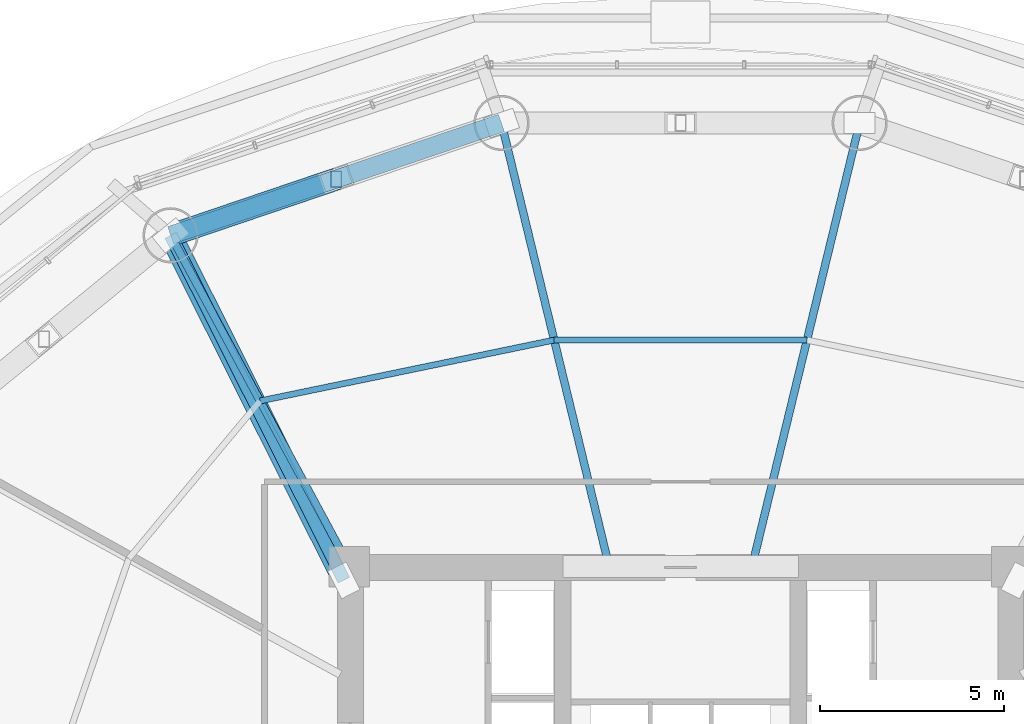
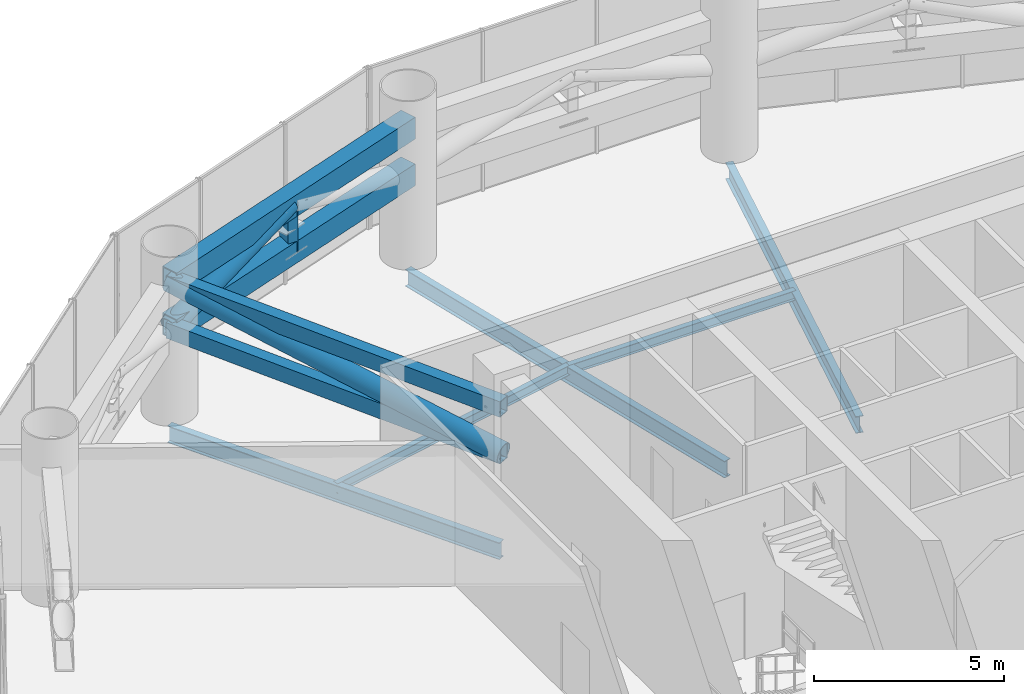
# One storey, part 19 of 33: 7 members, 5 beams.
"""IFC4 building model written with IfcOpenShell, lengths in metres."""

from ifc_helpers import new_model, si_unit, direction, frame, origin, origin_2d, place, context, subcontext, project, spatial, hollow_rectangle, hollow_circle, i_section, extrude, source, transform, mapped, material, material_profile, profile_set, type_object, element, save


model = new_model("IFC4")

# Units and contexts
model_context = context("Model", 3, precision=1e-05, world=origin(), true_north=direction((-0.2419218956, 0.970295726276)))
body_context = subcontext(model_context, "Body", "Model", "MODEL_VIEW")
ifc_project = project(units=[si_unit("LENGTHUNIT", "METRE"), si_unit("AREAUNIT", "SQUARE_METRE"), si_unit("VOLUMEUNIT", "CUBIC_METRE"), si_unit("PLANEANGLEUNIT", "RADIAN"), si_unit("MASSUNIT", "GRAM", prefix="KILO")], contexts=[model_context])

# Site, building, storey
site_placement = place(None, origin())
site = spatial("IfcSite", under=ifc_project, at=site_placement, CompositionType="ELEMENT")
building_placement = place(site_placement, origin())
building = spatial("IfcBuilding", under=site, at=building_placement, Name="Cobrevalo Terracotta Tower", CompositionType="ELEMENT")
storey_placement = place(building_placement, frame((0.0, 0.0, 74.39990234375)))
storey = spatial("IfcBuildingStorey", under=building, at=storey_placement, Name="L19", CompositionType="ELEMENT", Elevation=74.39990234375)

# Beams
ifc_material = material(Name="Steel S355", Category="steel")
ifc_material_profile_1 = material_profile(ifc_material, i_section(OverallWidth=0.2109375, OverallDepth=0.5390625, WebThickness=0.01171875, FlangeThickness=0.018798828125, at=origin_2d()), Name="W 530x109")
ifc_profile_set_1 = profile_set([ifc_material_profile_1], Name="Steel S355")
beam_type_1 = type_object("IfcBeamType", Name="Structural Beam W 530x109 (Steel S355)", PredefinedType="BEAM", material=ifc_profile_set_1)
for number, where, z_axis, x_axis, name in (
    (1, (42.867431640625, 46.857177734375, -0.719482421875), (-0.235822681454, -0.971796101511, 0.0), (0.971796101511, -0.235822681454, 0.0), "L19 radial floor girder 04"),
    (2, (33.132568359375, 46.857177734375, -0.719482421875), (0.235822681454, -0.971796101511, 0.0), (0.971796101511, 0.235822681454, 0.0), "L19 radial floor girder 05"),
):
    element("IfcBeam", number, at=place(storey_placement, frame(where, z_axis=z_axis, x_axis=x_axis)), inside=storey, type_object=beam_type_1, Name=name, PredefinedType="BEAM", context=body_context, shape_type="SweptSolid", body=[
        extrude(i_section(OverallWidth=0.2109375, OverallDepth=0.5390625, WebThickness=0.01171875, FlangeThickness=0.018798828125, at=origin_2d()), origin(), (0.0, 0.0, 1.0), 12.144775390625),
    ])
beam_1_placement = place(storey_placement, frame((24.138427734375, 43.803466796875, -0.719482421875), z_axis=(0.475128224431, -0.879916570107, 0.0), x_axis=(0.879916570107, 0.475128224431, 0.0)))
element("IfcBeam", 3, at=beam_1_placement, inside=storey, type_object=beam_type_1, Name="L19 radial floor girder 06", PredefinedType="BEAM", context=body_context, shape_type="SweptSolid", body=[
    extrude(i_section(OverallWidth=0.2109375, OverallDepth=0.5390625, WebThickness=0.01171875, FlangeThickness=0.018798828125, at=origin_2d()), origin(), (0.0, 0.0, 1.0), 10.232177734375),
])
ifc_material_profile_2 = material_profile(ifc_material, i_section(OverallWidth=0.1650390625, OverallDepth=0.31005859375, WebThickness=0.005859375, FlangeThickness=0.009765625, at=origin_2d()), Name="W 310x38.7")
ifc_profile_set_2 = profile_set([ifc_material_profile_2], Name="Steel S355")
beam_type_2 = type_object("IfcBeamType", Name="Structural Joist W 310x38.7 (Steel S355)", PredefinedType="JOIST", material=ifc_profile_set_2)
beam_2_placement = place(storey_placement, frame((41.435546875, 40.9560546875, -0.60498046875), z_axis=(-1.0, 0.0, 0.0), x_axis=(0.0, -1.0, 0.0)))
element("IfcBeam", 4, at=beam_2_placement, inside=storey, type_object=beam_type_2, Name="L19 circumferential secondary floor joist 04", PredefinedType="JOIST", context=body_context, shape_type="SweptSolid", body=[
    extrude(i_section(OverallWidth=0.1650390625, OverallDepth=0.31005859375, WebThickness=0.005859375, FlangeThickness=0.009765625, at=origin_2d()), origin(), (0.0, 0.0, 1.0), 6.87109375),
])
beam_3_placement = place(storey_placement, frame((34.564453125, 40.9560546875, -0.60498046875), z_axis=(-0.979257146096, -0.202621424879, 0.0), x_axis=(0.202621424879, -0.979257146096, 0.0)))
element("IfcBeam", 5, at=beam_3_placement, inside=storey, type_object=beam_type_2, Name="L19 circumferential secondary floor joist 05", PredefinedType="JOIST", context=body_context, shape_type="SweptSolid", body=[
    extrude(i_section(OverallWidth=0.1650390625, OverallDepth=0.31005859375, WebThickness=0.005859375, FlangeThickness=0.009765625, at=origin_2d()), origin(), (0.0, 0.0, 1.0), 8.16455078125),
])

# Members
ifc_material_profile_3 = material_profile(ifc_material, hollow_rectangle(XDim=0.300048828125, YDim=0.449951171875, WallThickness=0.02001953125, at=origin_2d()), Name="RHS 450x300x20")
ifc_profile_set_3 = profile_set([ifc_material_profile_3], Name="Steel S355")
member_type_1 = type_object("IfcMemberType", Name="Steel Post RHS 450x300x20 (Steel S355)", PredefinedType="POST", material=ifc_profile_set_3)
shared_shape_1 = source(origin(), body_context, "Body", "SweptSolid", [
    extrude(hollow_rectangle(XDim=0.300048828125, YDim=0.449951171875, WallThickness=0.02001953125, at=origin_2d()), origin(), (0.0, 0.0, 1.0), 1.494873046875),
])
member_1_placement = place(storey_placement, frame((28.635498046875, 45.330322265625, 2.650146484375), z_axis=(0.0, 0.0, 1.0), x_axis=(1.0, 0.0, 0.0)))
element("IfcMember", 6, at=member_1_placement, inside=storey, type_object=member_type_1, Name="L19 belt truss post 05", PredefinedType="POST", context=body_context, shape_type="MappedRepresentation", body=[
    mapped(shared_shape_1, transform((0.0, 0.0, 0.0), scale=1.0)),
])
ifc_material_profile_4 = material_profile(ifc_material, hollow_rectangle(XDim=0.5, YDim=0.699951171875, WallThickness=0.031982421875, at=origin_2d()), Name="RHS 700x500x32")
ifc_profile_set_4 = profile_set([ifc_material_profile_4], Name="Steel S355")
member_type_2 = type_object("IfcMemberType", Name="Steel Chord RHS 700x500x32 (Steel S355)", PredefinedType="CHORD", material=ifc_profile_set_4)
shared_shape_2 = source(origin(), body_context, "Body", "SweptSolid", [
    extrude(hollow_rectangle(XDim=0.5, YDim=0.699951171875, WallThickness=0.031982421875, at=origin_2d()), origin(), (0.0, 0.0, 1.0), 9.498291015625),
])
for number, where, z_axis, x_axis, name in (
    (7, (33.132568359375, 46.857177734375, 2.650146484375), (-0.946910528816, -0.32149720126, 0.0), (0.32149720126, -0.946910528816, 0.0), "L19 belt truss chord 05-BC"),
    (8, (33.132568359375, 46.857177734375, 4.14501953125), (-0.946910528816, -0.32149720126, 0.0), (0.32149720126, -0.946910528816, 0.0), "L19 belt truss chord 05-TC"),
):
    element("IfcMember", number, at=place(storey_placement, frame(where, z_axis=z_axis, x_axis=x_axis)), inside=storey, type_object=member_type_2, Name=name, PredefinedType="CHORD", context=body_context, shape_type="MappedRepresentation", body=[
        mapped(shared_shape_2, transform((0.0, 0.0, 0.0), scale=1.0)),
    ])
ifc_material_profile_5 = material_profile(ifc_material, hollow_circle(Radius=0.304931640625, WallThickness=0.02490234375, at=origin_2d()), Name="CHS 610x25")
ifc_profile_set_5 = profile_set([ifc_material_profile_5], Name="Steel S355")
member_type_3 = type_object("IfcMemberType", Name="Steel Brace CHS 610x25 (Steel S355)", PredefinedType="BRACE", material=ifc_profile_set_5)
shared_shape_3 = source(origin(), body_context, "Body", "SweptSolid", [
    extrude(hollow_circle(Radius=0.304931640625, WallThickness=0.02490234375, at=origin_2d()), origin(), (0.0, 0.0, 1.0), 4.97900390625),
])
member_2_placement = place(storey_placement, frame((24.138427734375, 43.803466796875, 2.650146484375), z_axis=(0.903223320473, 0.30666442162, 0.300240846431), x_axis=(-0.32149720126, 0.946910528816, 0.0)))
element("IfcMember", 9, at=member_2_placement, inside=storey, type_object=member_type_3, Name="L19 belt truss diagonal brace 05-D2", PredefinedType="BRACE", context=body_context, shape_type="MappedRepresentation", body=[
    mapped(shared_shape_3, transform((0.0, 0.0, 0.0), scale=1.0)),
])
ifc_material_profile_6 = material_profile(ifc_material, hollow_rectangle(XDim=0.35009765625, YDim=0.5, WallThickness=0.02197265625, at=origin_2d()), Name="RHS 500x350x22")
ifc_profile_set_6 = profile_set([ifc_material_profile_6], Name="Steel S355")
member_type_4 = type_object("IfcMemberType", Name="Steel Chord RHS 500x350x22 (Steel S355)", PredefinedType="CHORD", material=ifc_profile_set_6)
shared_shape_4 = source(origin(), body_context, "Body", "SweptSolid", [
    extrude(hollow_rectangle(XDim=0.35009765625, YDim=0.5, WallThickness=0.02197265625, at=origin_2d()), origin(), (0.0, 0.0, 1.0), 10.495361328125),
])
for number, where, z_axis, x_axis, name in (
    (10, (28.85009765625, 34.425048828125, 2.650146484375), (-0.448924826969, 0.893569527083, 0.0), (-0.893569527083, -0.448924826969, 0.0), "L19 radial outrigger bottom chord 2"),
    (11, (28.85009765625, 34.425048828125, 4.14501953125), (-0.448924826969, 0.893569527083, 0.0), (-0.893569527083, -0.448924826969, 0.0), "L19 radial outrigger top chord 2"),
):
    element("IfcMember", number, at=place(storey_placement, frame(where, z_axis=z_axis, x_axis=x_axis)), inside=storey, type_object=member_type_4, Name=name, PredefinedType="CHORD", context=body_context, shape_type="MappedRepresentation", body=[
        mapped(shared_shape_4, transform((0.0, 0.0, 0.0), scale=1.0)),
    ])
shared_shape_5 = source(origin(), body_context, "Body", "SweptSolid", [
    extrude(hollow_circle(Radius=0.304931640625, WallThickness=0.02490234375, at=origin_2d()), origin(), (0.0, 0.0, 1.0), 10.601318359375),
])
member_3_placement = place(storey_placement, frame((28.85009765625, 34.425048828125, 2.650146484375), z_axis=(-0.444439411071, 0.884641460018, 0.141007436343), x_axis=(-0.893569527083, -0.448924826969, 0.0)))
element("IfcMember", 12, at=member_3_placement, inside=storey, type_object=member_type_3, Name="L19 radial outrigger diagonal brace 2A", PredefinedType="BRACE", context=body_context, shape_type="MappedRepresentation", body=[
    mapped(shared_shape_5, transform((0.0, 0.0, 0.0), scale=1.0)),
])

save(model, "model.ifc")
